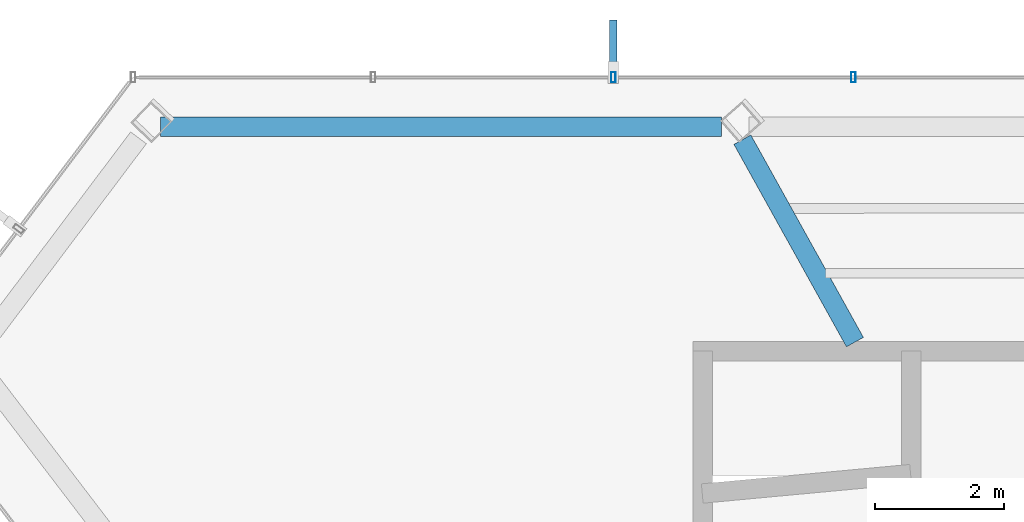
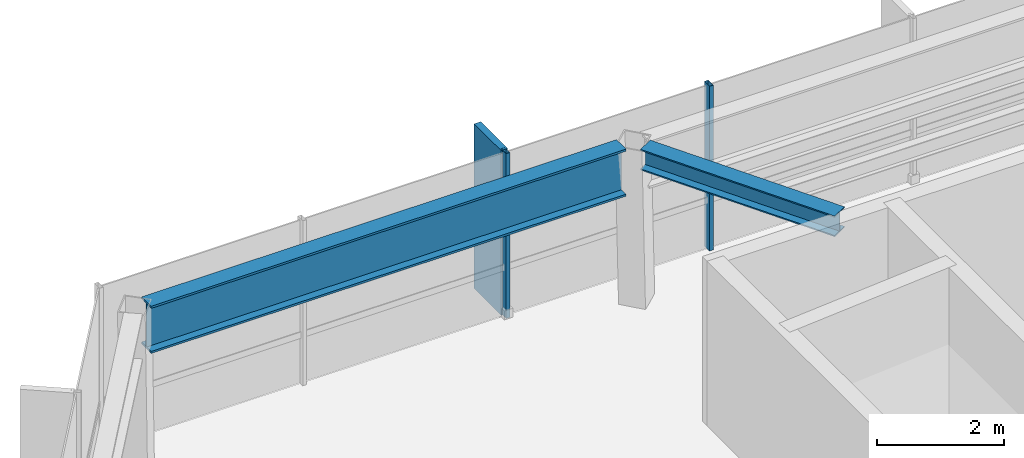
# One storey, part 9 of 21: 3 members, 2 beams, 1 element without a shape of its own.
"""IFC4 building model written with IfcOpenShell, lengths in metres."""

from ifc_helpers import new_model, si_unit, direction, frame, origin, origin_2d, place, context, subcontext, project, spatial, rectangle, hollow_rectangle, i_section, extrude, material, layer, layer_set, material_profile, profile_set, type_object, element, aggregate, save


model = new_model("IFC4")

# Units and contexts
model_context = context("Model", 3, precision=1e-05, world=origin(), true_north=direction((0.0, 1.0)))
body_context = subcontext(model_context, "Body", "Model", "MODEL_VIEW")
ifc_project = project(units=[si_unit("LENGTHUNIT", "METRE"), si_unit("AREAUNIT", "SQUARE_METRE"), si_unit("VOLUMEUNIT", "CUBIC_METRE"), si_unit("PLANEANGLEUNIT", "RADIAN"), si_unit("MASSUNIT", "GRAM", prefix="KILO")], contexts=[model_context])

# Site, building, storey
site_placement = place(None, origin())
site = spatial("IfcSite", under=ifc_project, at=site_placement, CompositionType="ELEMENT")
building_placement = place(site_placement, origin())
building = spatial("IfcBuilding", under=site, at=building_placement, Name="Zarrinselat Tower", CompositionType="ELEMENT")
storey_placement = place(building_placement, frame((0.0, 0.0, 285.60009765625)))
storey = spatial("IfcBuildingStorey", under=building, at=storey_placement, Name="L73", CompositionType="ELEMENT", Elevation=285.60009765625)

# Beams
ifc_material_1 = material(Name="Steel S355J2", Category="steel")
ifc_material_profile_1 = material_profile(ifc_material_1, i_section(OverallWidth=0.300048828125, OverallDepth=0.39990234375, WebThickness=0.013427734375, FlangeThickness=0.02392578125, at=origin_2d()), Name="HEB 400")
ifc_profile_set_1 = profile_set([ifc_material_profile_1], Name="Steel S355J2")
beam_type_1 = type_object("IfcBeamType", Name="BM-HEB400", PredefinedType="BEAM", material=ifc_profile_set_1)
beam_1_placement = place(storey_placement, frame((29.260498046875, 46.668212890625, 2.97998046875), z_axis=(0.485990373515, -0.873964162224, 0.0), x_axis=(0.873964162224, 0.485990373515, 0.0)))
element("IfcBeam", 1, at=beam_1_placement, inside=storey, type_object=beam_type_1, Name="L73 Radial Primary Girder RG04", PredefinedType="BEAM", context=body_context, shape_type="SweptSolid", body=[
    extrude(i_section(OverallWidth=0.300048828125, OverallDepth=0.39990234375, WebThickness=0.013427734375, FlangeThickness=0.02392578125, at=origin_2d()), origin(), (0.0, 0.0, 1.0), 3.579345703125),
])
ifc_material_2 = material(Name="Steel S460M", Category="steel")
ifc_material_profile_2 = material_profile(ifc_material_2, i_section(OverallWidth=0.302001953125, OverallDepth=0.909912109375, WebThickness=0.02099609375, FlangeThickness=0.0400390625, at=origin_2d()), Name="HEM 900")
ifc_profile_set_2 = profile_set([ifc_material_profile_2], Name="Steel S460M")
beam_type_2 = type_object("IfcBeamType", Name="BM-HEM900", PredefinedType="BEAM", material=ifc_profile_set_2)
beam_2_placement = place(storey_placement, frame((20.268310546875, 46.86669921875, 2.724853515625), z_axis=(1.0, 0.0, 0.0), x_axis=(0.0, 1.0, 0.0)))
element("IfcBeam", 2, at=beam_2_placement, inside=storey, type_object=beam_type_2, Name="L73 Perimeter Spandrel Girder SP04", PredefinedType="BEAM", context=body_context, shape_type="SweptSolid", body=[
    extrude(i_section(OverallWidth=0.302001953125, OverallDepth=0.909912109375, WebThickness=0.02099609375, FlangeThickness=0.0400390625, at=origin_2d()), origin(), (0.0, 0.0, 1.0), 8.6689453125),
])

# Curtain wall, members
ifc_material_3 = material(Name="Extruded Aluminium Alloy EN AW-6063 T6", Category="aluminium")
ifc_layer = layer(ifc_material_3, 0.169921875)
ifc_layer_set = layer_set([ifc_layer], Name="Extruded Aluminium Alloy EN AW-6063 T6")
curtain_wall_type = type_object("IfcCurtainWallType", Name="CWS-RES", PredefinedType="NOTDEFINED", material=ifc_layer_set)
curtain_wall_placement = place(storey_placement, origin())
curtain_wall = element("IfcCurtainWall", 3, at=curtain_wall_placement, inside=storey, type_object=curtain_wall_type, Name="L73 Unitised Curtain Wall CW-L73-E01", PredefinedType="NOTDEFINED")
ifc_material_4 = material(Name="Extruded Aluminium Alloy EN AW-6063 T6", Category="aluminium")
ifc_material_profile_3 = material_profile(ifc_material_4, hollow_rectangle(XDim=0.070068359375, YDim=0.159912109375, WallThickness=0.00390625, at=origin_2d()), Name="RHS 160x70x4")
ifc_profile_set_3 = profile_set([ifc_material_profile_3], Name="Extruded Aluminium Alloy EN AW-6063 T6")
member_type_1 = type_object("IfcMemberType", Name="MEM-CW-MUL2", PredefinedType="MULLION", material=ifc_profile_set_3)
member_1_placement = place(storey_placement, frame((30.976806640625, 47.63330078125, 0.0), z_axis=(0.0, 0.0, 1.0), x_axis=(-1.0, 0.0, 0.0)))
member_1 = element("IfcMember", 4, at=member_1_placement, type_object=member_type_1, Name="CW-L73-E01 Mullion 10", PredefinedType="MULLION", context=body_context, shape_type="SweptSolid", body=[
    extrude(hollow_rectangle(XDim=0.070068359375, YDim=0.159912109375, WallThickness=0.00390625, at=origin_2d()), origin(), (0.0, 0.0, 1.0), 3.179931640625),
])
member_2_placement = place(storey_placement, frame((27.265380859375, 47.63330078125, 0.0), z_axis=(0.0, 0.0, 1.0), x_axis=(-1.0, 0.0, 0.0)))
member_2 = element("IfcMember", 5, at=member_2_placement, type_object=member_type_1, Name="CW-L73-E01 Mullion 11", PredefinedType="MULLION", context=body_context, shape_type="SweptSolid", body=[
    extrude(hollow_rectangle(XDim=0.070068359375, YDim=0.159912109375, WallThickness=0.00390625, at=origin_2d()), origin(), (0.0, 0.0, 1.0), 3.179931640625),
])
ifc_material_5 = material(Name="Honed Cream Travertine Stone", Category="masonry")
ifc_material_profile_4 = material_profile(ifc_material_5, rectangle(XDim=0.1201171875, YDim=0.85009765625, at=origin_2d()), Name="FIN 850x120")
ifc_profile_set_4 = profile_set([ifc_material_profile_4], Name="Honed Cream Travertine Stone")
member_type_2 = type_object("IfcMemberType", Name="MEM-STONE-FIN", PredefinedType="USERDEFINED", material=ifc_profile_set_4)
member_3_placement = place(storey_placement, frame((27.265380859375, 48.09326171875, 0.0), z_axis=(0.0, 0.0, 1.0), x_axis=(1.0, 0.0, 0.0)))
member_3 = element("IfcMember", 6, at=member_3_placement, type_object=member_type_2, Name="L73 Stone Shading Fin CW-L73-E01-11", ObjectType="FIN", PredefinedType="USERDEFINED", context=body_context, shape_type="SweptSolid", body=[
    extrude(rectangle(XDim=0.1201171875, YDim=0.85009765625, at=origin_2d()), origin(), (0.0, 0.0, 1.0), 3.179931640625),
])
aggregate(curtain_wall, [member_1, member_2, member_3])

save(model, "model.ifc")
